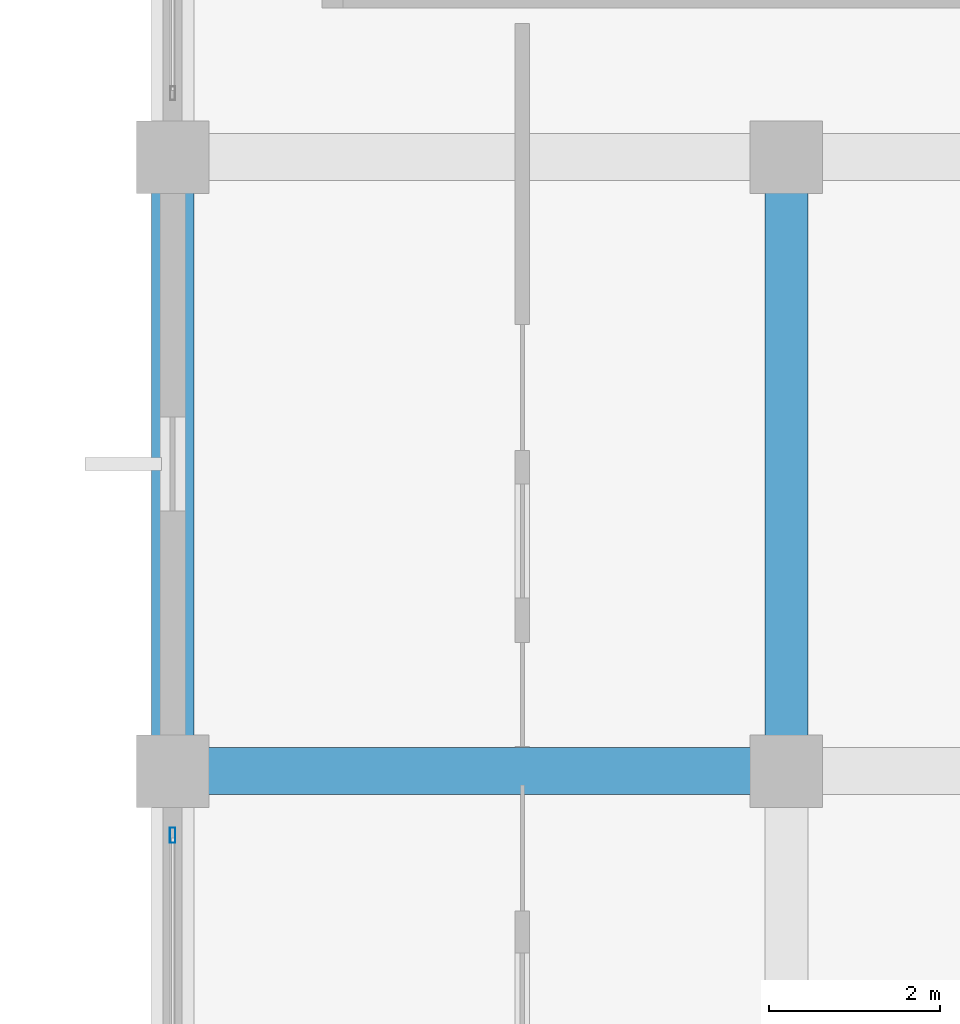
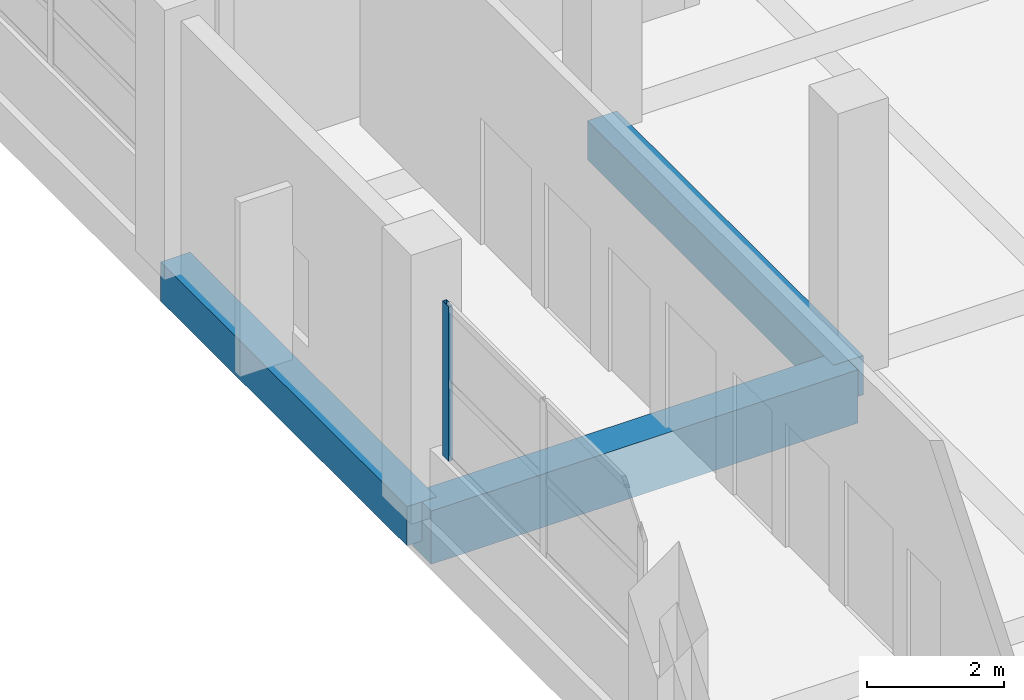
# One storey, part 119 of 181: 3 beams, 1 member, 1 element without a shape of its own.
"""IFC4 building model written with IfcOpenShell, lengths in metres."""

from ifc_helpers import new_model, si_unit, direction, frame, origin, origin_2d, place, context, subcontext, project, spatial, rectangle, hollow_rectangle, extrude, material, layer, layer_set, material_profile, profile_set, type_object, element, aggregate, save


model = new_model("IFC4")

# Units and contexts
model_context = context("Model", 3, precision=1e-05, world=origin(), true_north=direction((0.0, 1.0)))
body_context = subcontext(model_context, "Body", "Model", "MODEL_VIEW")
ifc_project = project(units=[si_unit("LENGTHUNIT", "METRE"), si_unit("AREAUNIT", "SQUARE_METRE"), si_unit("VOLUMEUNIT", "CUBIC_METRE"), si_unit("PLANEANGLEUNIT", "RADIAN"), si_unit("MASSUNIT", "GRAM", prefix="KILO")], contexts=[model_context])

# Site, building, storey
site_placement = place(None, origin())
site = spatial("IfcSite", under=ifc_project, at=site_placement, CompositionType="ELEMENT")
building_placement = place(site_placement, origin())
building = spatial("IfcBuilding", under=site, at=building_placement, Name="Seraya Terrace Polytechnic", CompositionType="ELEMENT")
storey_placement = place(building_placement, frame((0.0, 0.0, 4.800048828125)))
storey = spatial("IfcBuildingStorey", under=building, at=storey_placement, Name="L01", CompositionType="ELEMENT", Elevation=4.800048828125)

# Beams
ifc_material_1 = material(Name="Concrete C40/50", Category="concrete")
ifc_material_profile_1 = material_profile(ifc_material_1, rectangle(XDim=0.550048828125, YDim=0.949951171875, at=origin_2d()), Name="RC 550x950")
ifc_profile_set_1 = profile_set([ifc_material_profile_1], Name="Concrete C40/50")
beam_type_1 = type_object("IfcBeamType", Name="BM-03", PredefinedType="BEAM", material=ifc_profile_set_1)
beam_placement = place(storey_placement, frame((144.0, 50.39990234375, -0.47509765625), z_axis=(1.0, 0.0, 0.0), x_axis=(0.0, 1.0, 0.0)))
element("IfcBeam", 1, at=beam_placement, inside=storey, type_object=beam_type_1, Name="Beam BM-03 L01 X (144.0..151.2, 50.4)", PredefinedType="BEAM", context=body_context, shape_type="SweptSolid", body=[
    extrude(rectangle(XDim=0.550048828125, YDim=0.949951171875, at=origin_2d()), origin(), (0.0, 0.0, 1.0), 7.199951171875),
])
ifc_material_profile_2 = material_profile(ifc_material_1, rectangle(XDim=0.5, YDim=0.699951171875, at=origin_2d()), Name="RC 500x700")
ifc_profile_set_2 = profile_set([ifc_material_profile_2], Name="Concrete C40/50")
beam_type_2 = type_object("IfcBeamType", Name="BM-07", PredefinedType="BEAM", material=ifc_profile_set_2)
for number, where, z_axis, x_axis, name in (
    (2, (144.0, 50.39990234375, -0.35009765625), (0.0, 1.0, 0.0), (-1.0, 0.0, 0.0), "Beam BM-07 L01 Y (144.0, 50.4..57.6)"),
    (3, (151.199951171875, 50.39990234375, -0.35009765625), (0.0, 1.0, 0.0), (-1.0, 0.0, 0.0), "Beam BM-07 L01 Y (151.2, 50.4..57.6)"),
):
    element("IfcBeam", number, at=place(storey_placement, frame(where, z_axis=z_axis, x_axis=x_axis)), inside=storey, type_object=beam_type_2, Name=name, PredefinedType="BEAM", context=body_context, shape_type="SweptSolid", body=[
        extrude(rectangle(XDim=0.5, YDim=0.699951171875, at=origin_2d()), origin(), (0.0, 0.0, 1.0), 7.2001953125),
    ])

# Curtain wall, member
ifc_material_2 = material(Name="Anodised aluminium EN AW-6063 T6", Category="aluminium")
ifc_layer = layer(ifc_material_2, 0.179931640625, Name="CW-10")
ifc_layer_set = layer_set([ifc_layer], Name="Anodised aluminium EN AW-6063 T6")
curtain_wall_type = type_object("IfcCurtainWallType", Name="CW-10", PredefinedType="NOTDEFINED", material=ifc_layer_set)
curtain_wall_placement = place(storey_placement, origin())
curtain_wall = element("IfcCurtainWall", 4, at=curtain_wall_placement, inside=storey, type_object=curtain_wall_type, Name="Unitised curtain wall CW-10 (CW-L01-046)", PredefinedType="NOTDEFINED")
ifc_material_profile_3 = material_profile(ifc_material_2, hollow_rectangle(XDim=0.06494140625, YDim=0.179931640625, WallThickness=0.00390625, at=origin_2d()), Name="RHS 180x65x4.0")
ifc_profile_set_3 = profile_set([ifc_material_profile_3], Name="Anodised aluminium EN AW-6063 T6")
member_type = type_object("IfcMemberType", Name="CWM-01", PredefinedType="MULLION", material=ifc_profile_set_3)
member_placement = place(storey_placement, frame((144.0, 49.6474609375, 1.239990234375), z_axis=(0.0, 0.0, 1.0), x_axis=(-1.0, 0.0, 0.0)))
member = element("IfcMember", 5, at=member_placement, type_object=member_type, Name="CW-10 mullion 3", PredefinedType="MULLION", context=body_context, shape_type="SweptSolid", body=[
    extrude(hollow_rectangle(XDim=0.06494140625, YDim=0.179931640625, WallThickness=0.00390625, at=origin_2d()), origin(), (0.0, 0.0, 1.0), 2.760009765625),
])
aggregate(curtain_wall, [member])

save(model, "model.ifc")
